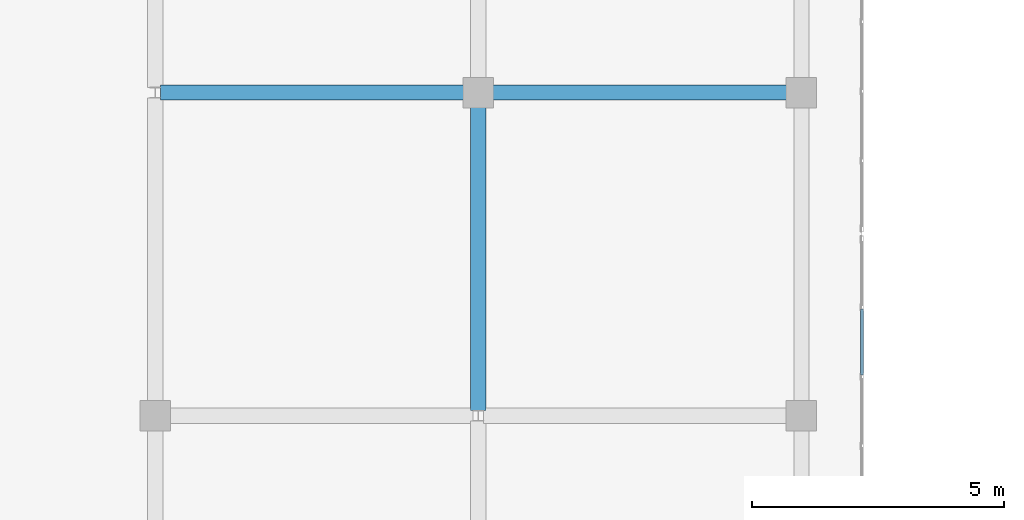
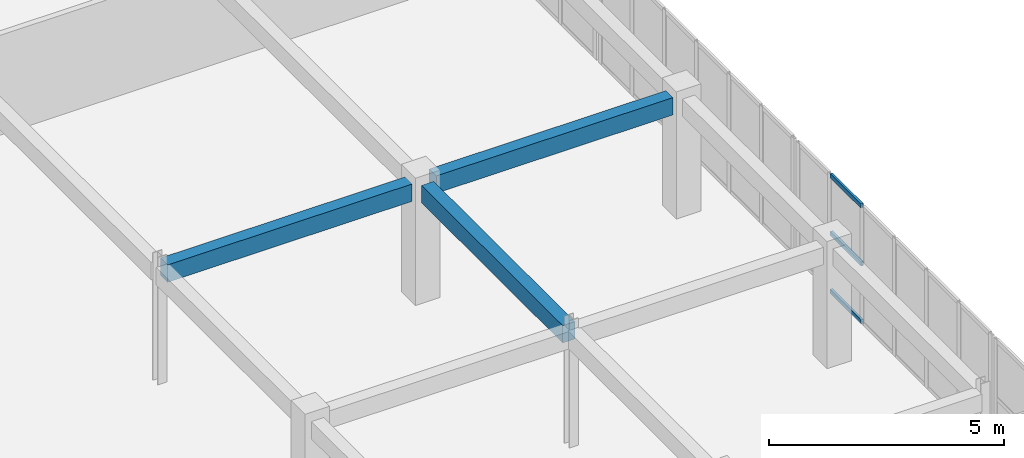
# One storey, part 70 of 200: 3 beams, 3 members, 1 element without a shape of its own.
"""IFC4 building model written with IfcOpenShell, lengths in metres."""

from ifc_helpers import new_model, si_unit, direction, frame, origin, origin_2d, place, context, subcontext, project, spatial, rectangle, hollow_rectangle, extrude, material, layer, layer_set, material_profile, profile_set, type_object, element, aggregate, save


model = new_model("IFC4")

# Units and contexts
model_context = context("Model", 3, precision=1e-05, world=origin(), true_north=direction((0.0, 1.0)))
body_context = subcontext(model_context, "Body", "Model", "MODEL_VIEW")
ifc_project = project(units=[si_unit("LENGTHUNIT", "METRE"), si_unit("AREAUNIT", "SQUARE_METRE"), si_unit("VOLUMEUNIT", "CUBIC_METRE"), si_unit("PLANEANGLEUNIT", "RADIAN"), si_unit("MASSUNIT", "GRAM", prefix="KILO")], contexts=[model_context])

# Site, building, storey
site_placement = place(None, origin())
site = spatial("IfcSite", under=ifc_project, at=site_placement, CompositionType="ELEMENT")
building_placement = place(site_placement, origin())
building = spatial("IfcBuilding", under=site, at=building_placement, Name="Trelvath General Hospital", CompositionType="ELEMENT")
storey_placement = place(building_placement, frame((0.0, 0.0, 4.800048828125)))
storey = spatial("IfcBuildingStorey", under=building, at=storey_placement, Name="L01", CompositionType="ELEMENT", Elevation=4.800048828125)

# Beams
ifc_material_1 = material(Name="Concrete C35/45", Category="concrete")
ifc_material_profile_1 = material_profile(ifc_material_1, rectangle(XDim=0.300048828125, YDim=0.449951171875, at=origin_2d()), Name="RCB300x450")
ifc_profile_set_1 = profile_set([ifc_material_profile_1], Name="Concrete C35/45")
beam_type = type_object("IfcBeamType", Name="Beam RC300x450", PredefinedType="BEAM", material=ifc_profile_set_1)
beam_1_placement = place(storey_placement, frame((107.305908203125, 44.800048828125, 2.8349609375), z_axis=(1.0, 0.0, 0.0), x_axis=(0.0, 1.0, 0.0)))
element("IfcBeam", 1, at=beam_1_placement, inside=storey, type_object=beam_type, Name="Cube Interior Ring Beam CUBE-E-T0 L01", PredefinedType="BEAM", context=body_context, shape_type="SweptSolid", body=[
    extrude(rectangle(XDim=0.300048828125, YDim=0.449951171875, at=origin_2d()), origin(), (0.0, 0.0, 1.0), 5.998046875),
])
beam_2_placement = place(storey_placement, frame((113.89599609375, 44.800048828125, 2.8349609375), z_axis=(1.0, 0.0, 0.0), x_axis=(0.0, 1.0, 0.0)))
element("IfcBeam", 2, at=beam_2_placement, inside=storey, type_object=beam_type, Name="Cube Interior Ring Beam CUBE-E-T0 L01", PredefinedType="BEAM", context=body_context, shape_type="SweptSolid", body=[
    extrude(rectangle(XDim=0.300048828125, YDim=0.449951171875, at=origin_2d()), origin(), (0.0, 0.0, 1.0), 5.80810546875),
])
beam_3_placement = place(storey_placement, frame((113.60009765625, 38.506103515625, 2.8349609375), z_axis=(0.0, 1.0, 0.0), x_axis=(-1.0, 0.0, 0.0)))
element("IfcBeam", 3, at=beam_3_placement, inside=storey, type_object=beam_type, Name="Cube Interior Ring Beam CUBE-E-T0 L01", PredefinedType="BEAM", context=body_context, shape_type="SweptSolid", body=[
    extrude(rectangle(XDim=0.300048828125, YDim=0.449951171875, at=origin_2d()), origin(), (0.0, 0.0, 1.0), 5.997802734375),
])

# Curtain wall, members
ifc_material_2 = material(Name="Anodised aluminium and low-E glass", Category="aluminium")
ifc_layer = layer(ifc_material_2, 0.14990234375)
ifc_layer_set = layer_set([ifc_layer], Name="Anodised aluminium and low-E glass")
curtain_wall_type = type_object("IfcCurtainWallType", Name="CW CrystalCube 824 306 15", PredefinedType="USERDEFINED", material=ifc_layer_set)
curtain_wall_placement = place(storey_placement, origin())
curtain_wall = element("IfcCurtainWall", 4, at=curtain_wall_placement, inside=storey, type_object=curtain_wall_type, Name="Crystal Cube Curtain Wall CUBE-E-T0 E2 L01", ObjectType="Unitised Glazed Curtain Wall", PredefinedType="USERDEFINED")
ifc_material_3 = material(Name="Anodised aluminium", Category="aluminium")
ifc_material_profile_2 = material_profile(ifc_material_3, hollow_rectangle(XDim=0.06005859375, YDim=0.110107421875, WallThickness=0.00390625, at=origin_2d()), Name="RHS60x110x4")
ifc_profile_set_2 = profile_set([ifc_material_profile_2], Name="Anodised aluminium")
member_type = type_object("IfcMemberType", Name="CurtainTransom 60x110", PredefinedType="USERDEFINED", material=ifc_profile_set_2)
member_1_placement = place(storey_placement, frame((121.199951171875, 40.5166015625, 0.030029296875), z_axis=(0.0, -1.0, 0.0), x_axis=(1.0, 0.0, 0.0)))
member_1 = element("IfcMember", 5, at=member_1_placement, type_object=member_type, Name="CW-162 transom 2.1", ObjectType="TRANSOM", PredefinedType="USERDEFINED", context=body_context, shape_type="SweptSolid", body=[
    extrude(hollow_rectangle(XDim=0.06005859375, YDim=0.110107421875, WallThickness=0.00390625, at=origin_2d()), origin(), (0.0, 0.0, 1.0), 1.313232421875),
])
member_2_placement = place(storey_placement, frame((121.199951171875, 40.5166015625, 1.530029296875), z_axis=(0.0, -1.0, 0.0), x_axis=(1.0, 0.0, 0.0)))
member_2 = element("IfcMember", 6, at=member_2_placement, type_object=member_type, Name="CW-162 transom 2.2", ObjectType="TRANSOM", PredefinedType="USERDEFINED", context=body_context, shape_type="SweptSolid", body=[
    extrude(hollow_rectangle(XDim=0.06005859375, YDim=0.110107421875, WallThickness=0.00390625, at=origin_2d()), origin(), (0.0, 0.0, 1.0), 1.313232421875),
])
member_3_placement = place(storey_placement, frame((121.199951171875, 40.5166015625, 3.030029296875), z_axis=(0.0, -1.0, 0.0), x_axis=(1.0, 0.0, 0.0)))
member_3 = element("IfcMember", 7, at=member_3_placement, type_object=member_type, Name="CW-162 transom 2.3", ObjectType="TRANSOM", PredefinedType="USERDEFINED", context=body_context, shape_type="SweptSolid", body=[
    extrude(hollow_rectangle(XDim=0.06005859375, YDim=0.110107421875, WallThickness=0.00390625, at=origin_2d()), origin(), (0.0, 0.0, 1.0), 1.313232421875),
])
aggregate(curtain_wall, [member_1, member_2, member_3])

save(model, "model.ifc")
